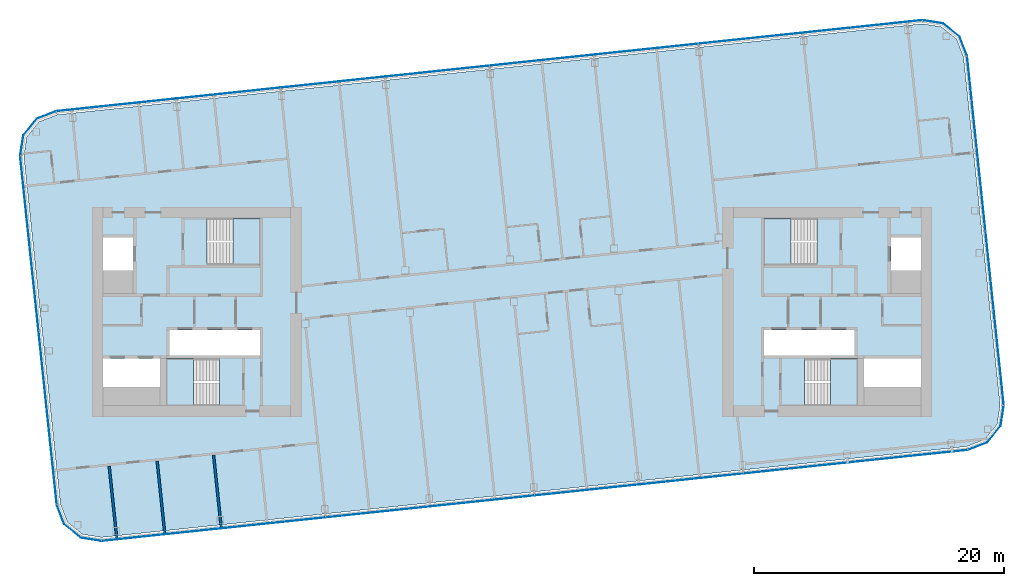
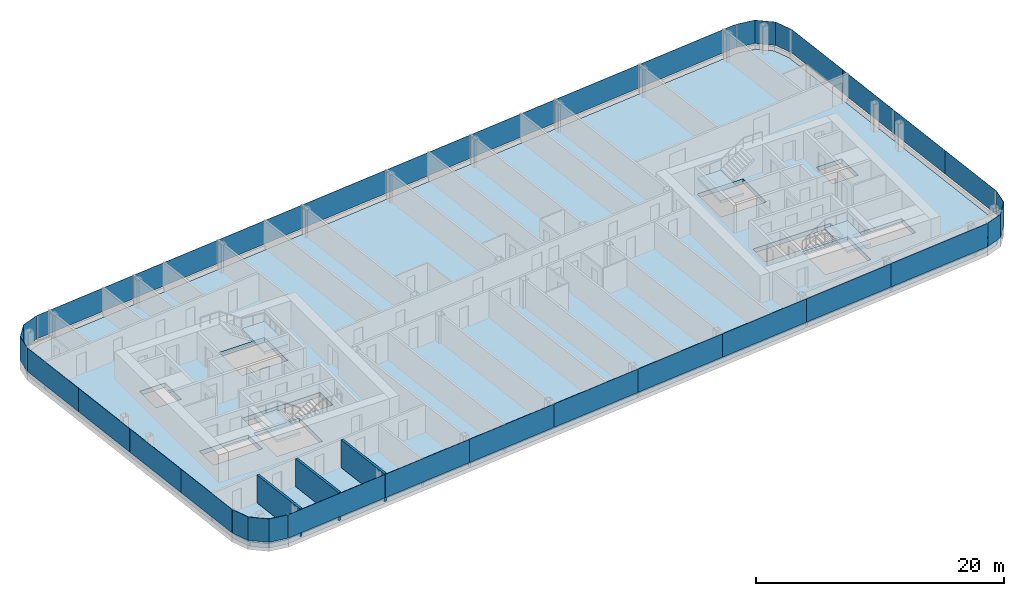
# One storey, part 13 of 27: 28 plates, 5 slabs, 3 walls, 12 elements without a shape of their own.
"""IFC4 building model written with IfcOpenShell, lengths in metres."""

from ifc_helpers import new_model, si_unit, direction, frame, frame_2d, origin, origin_2d, place, context, subcontext, project, spatial, polyline, rectangle, outline, extrude, material, layer, layer_set, type_object, element, aggregate, save


model = new_model("IFC4")

# Units and contexts
model_context = context("Model", 3, precision=1e-05, world=origin(), true_north=direction((0.0, 1.0)))
body_context = subcontext(model_context, "Body", "Model", "MODEL_VIEW")
ifc_project = project(units=[si_unit("LENGTHUNIT", "METRE"), si_unit("AREAUNIT", "SQUARE_METRE"), si_unit("VOLUMEUNIT", "CUBIC_METRE"), si_unit("PLANEANGLEUNIT", "RADIAN"), si_unit("MASSUNIT", "GRAM", prefix="KILO")], contexts=[model_context])

# Site, building, storey
site_placement = place(None, origin())
site = spatial("IfcSite", under=ifc_project, at=site_placement, CompositionType="ELEMENT")
building_placement = place(site_placement, origin())
building = spatial("IfcBuilding", under=site, at=building_placement, Name="Hakoniwa Tower and Hamabe Station Hall", CompositionType="ELEMENT")
storey_placement = place(building_placement, frame((0.0, 0.0, 261.39990234375)))
storey = spatial("IfcBuildingStorey", under=building, at=storey_placement, Name="L74", CompositionType="ELEMENT", Elevation=261.39990234375)

# Stair, slab
ifc_material_1 = material(Name="Concrete C40", Category="concrete")
stair_type = type_object("IfcStairType", Name="ESCAPE STAIR 1800", PredefinedType="HALF_TURN_STAIR", material=ifc_material_1)
stair_1_placement = place(storey_placement, origin())
stair_1 = element("IfcStair", 1, at=stair_1_placement, inside=storey, type_object=stair_type, Name="Escape stair ST-1 L74", PredefinedType="HALF_TURN_STAIR")
ifc_material_2 = material(Name="Concrete C40", Category="concrete")
ifc_layer_1 = layer(ifc_material_2, 0.25)
ifc_layer_set_1 = layer_set([ifc_layer_1], Name="CORE STAIR LANDING 250")
slab_type_1 = type_object("IfcSlabType", Name="CORE STAIR LANDING 250", PredefinedType="LANDING", material=ifc_layer_set_1)
slab_1_placement = place(storey_placement, frame((0.0, 0.0, 1.35009765625)))
slab_1 = element("IfcSlab", 2, at=slab_1_placement, type_object=slab_type_1, Name="ST-1 landing 1", PredefinedType="LANDING", context=body_context, shape_type="SweptSolid", body=[
    extrude(outline(polyline([(-22.320068359375, 3.75), (-20.14990234375, 3.75), (-20.14990234375, 7.5), (-22.320068359375, 7.5), (-22.320068359375, 3.75)])), origin(), (0.0, 0.0, 1.0), 0.25),
])
aggregate(stair_1, [slab_1])

stair_2_placement = place(storey_placement, origin())
stair_2 = element("IfcStair", 3, at=stair_2_placement, inside=storey, type_object=stair_type, Name="Escape stair ST-2 L74", PredefinedType="HALF_TURN_STAIR")
slab_2_placement = place(storey_placement, frame((0.0, 0.0, 1.35009765625)))
slab_2 = element("IfcSlab", 4, at=slab_2_placement, type_object=slab_type_1, Name="ST-2 landing 1", PredefinedType="LANDING", context=body_context, shape_type="SweptSolid", body=[
    extrude(outline(polyline([(-25.47998046875, -7.5), (-27.64990234375, -7.5), (-27.64990234375, -3.75), (-25.47998046875, -3.75), (-25.47998046875, -7.5)])), origin(), (0.0, 0.0, 1.0), 0.25),
])
aggregate(stair_2, [slab_2])

stair_3_placement = place(storey_placement, origin())
stair_3 = element("IfcStair", 5, at=stair_3_placement, inside=storey, type_object=stair_type, Name="Escape stair ST-3 L74", PredefinedType="HALF_TURN_STAIR")
slab_3_placement = place(storey_placement, frame((0.0, 0.0, 1.35009765625)))
slab_3 = element("IfcSlab", 6, at=slab_3_placement, type_object=slab_type_1, Name="ST-3 landing 1", PredefinedType="LANDING", context=body_context, shape_type="SweptSolid", body=[
    extrude(outline(polyline([(22.320068359375, 3.75), (20.14990234375, 3.75), (20.14990234375, 7.5), (22.320068359375, 7.5), (22.320068359375, 3.75)])), origin(), (0.0, 0.0, 1.0), 0.25),
])
aggregate(stair_3, [slab_3])

stair_4_placement = place(storey_placement, origin())
stair_4 = element("IfcStair", 7, at=stair_4_placement, inside=storey, type_object=stair_type, Name="Escape stair ST-4 L74", PredefinedType="HALF_TURN_STAIR")
slab_4_placement = place(storey_placement, frame((0.0, 0.0, 1.35009765625)))
slab_4 = element("IfcSlab", 8, at=slab_4_placement, type_object=slab_type_1, Name="ST-4 landing 1", PredefinedType="LANDING", context=body_context, shape_type="SweptSolid", body=[
    extrude(outline(polyline([(25.47998046875, -7.5), (27.64990234375, -7.5), (27.64990234375, -3.75), (25.47998046875, -3.75), (25.47998046875, -7.5)])), origin(), (0.0, 0.0, 1.0), 0.25),
])
aggregate(stair_4, [slab_4])

# Curtain wall, plates
ifc_material_3 = material(Name="Dark low-e laminated glass", Category="glass")
ifc_layer_2 = layer(ifc_material_3, 0.199951171875)
ifc_layer_set_2 = layer_set([ifc_layer_2], Name="CW-1 UNITISED GUEST")
curtain_wall_type = type_object("IfcCurtainWallType", Name="CW-1 UNITISED GUEST", PredefinedType="NOTDEFINED", material=ifc_layer_set_2)
curtain_wall_1_placement = place(storey_placement, origin())
curtain_wall_1 = element("IfcCurtainWall", 9, at=curtain_wall_1_placement, inside=storey, type_object=curtain_wall_type, Name="CW-1 curtain wall", PredefinedType="NOTDEFINED")
ifc_material_4 = material(Name="Dark low-e laminated glass", Category="glass")
ifc_layer_3 = layer(ifc_material_4, 0.028076171875)
ifc_layer_set_3 = layer_set([ifc_layer_3], Name="CW-1 GLASS UNIT")
plate_type = type_object("IfcPlateType", Name="CW-1 GLASS UNIT", PredefinedType="CURTAIN_PANEL", material=ifc_layer_set_3)
plate_1_placement = place(storey_placement, frame((38.97802734375, -3.990966796875, 0.35009765625), z_axis=(0.0, 0.0, 1.0), x_axis=(-0.104528468631, 0.994521894805, 0.0)))
plate_1 = element("IfcPlate", 10, at=plate_1_placement, type_object=plate_type, Name="CW-1 glass unit", PredefinedType="CURTAIN_PANEL", context=body_context, shape_type="SweptSolid", body=[
    extrude(rectangle(XDim=6.999755859375, YDim=0.028076171875, at=origin_2d()), origin(), (0.0, 0.0, 1.0), 2.300048828125),
])
plate_2_placement = place(storey_placement, frame((38.244140625, 2.990478515625, 0.35009765625), z_axis=(0.0, 0.0, 1.0), x_axis=(-0.104528468631, 0.994521894805, 0.0)))
plate_2 = element("IfcPlate", 11, at=plate_2_placement, type_object=plate_type, Name="CW-1 glass unit", PredefinedType="CURTAIN_PANEL", context=body_context, shape_type="SweptSolid", body=[
    extrude(rectangle(XDim=6.999755859375, YDim=0.028076171875, at=origin_2d()), origin(), (0.0, 0.0, 1.0), 2.300048828125),
])
plate_3_placement = place(storey_placement, frame((37.510498046875, 9.9716796875, 0.35009765625), z_axis=(0.0, 0.0, 1.0), x_axis=(-0.104528468631, 0.994521894805, 0.0)))
plate_3 = element("IfcPlate", 12, at=plate_3_placement, type_object=plate_type, Name="CW-1 glass unit", PredefinedType="CURTAIN_PANEL", context=body_context, shape_type="SweptSolid", body=[
    extrude(rectangle(XDim=6.999755859375, YDim=0.028076171875, at=origin_2d()), origin(), (0.0, 0.0, 1.0), 2.300048828125),
])
plate_4_placement = place(storey_placement, frame((36.776611328125, 16.953125, 0.35009765625), z_axis=(0.0, 0.0, 1.0), x_axis=(-0.104528468631, 0.994521894805, 0.0)))
plate_4 = element("IfcPlate", 13, at=plate_4_placement, type_object=plate_type, Name="CW-1 glass unit", PredefinedType="CURTAIN_PANEL", context=body_context, shape_type="SweptSolid", body=[
    extrude(rectangle(XDim=6.999755859375, YDim=0.028076171875, at=origin_2d()), origin(), (0.0, 0.0, 1.0), 2.300048828125),
])
aggregate(curtain_wall_1, [plate_1, plate_2, plate_3, plate_4])

# Curtain wall, plate
curtain_wall_2_placement = place(storey_placement, origin())
curtain_wall_2 = element("IfcCurtainWall", 14, at=curtain_wall_2_placement, inside=storey, type_object=curtain_wall_type, Name="CW-1 curtain wall", PredefinedType="NOTDEFINED")
plate_5_placement = place(storey_placement, frame((0.0, 0.0, 0.35009765625)))
plate_5 = element("IfcPlate", 15, at=plate_5_placement, type_object=plate_type, Name="CW-1 curved corner unit", PredefinedType="CURTAIN_PANEL", context=body_context, shape_type="SweptSolid", body=[
    extrude(outline(polyline([(36.409423828125, 20.482421875), (35.82421875, 22.0068359375), (34.492431640625, 23.085205078125), (32.8798828125, 23.340576171875), (32.87548828125, 23.31298828125), (34.480712890625, 23.058837890625), (35.80078125, 21.98974609375), (36.38330078125, 20.472412109375), (36.409423828125, 20.482421875)])), origin(), (0.0, 0.0, 1.0), 2.300048828125),
])
aggregate(curtain_wall_2, [plate_5])

# Curtain wall, plates
curtain_wall_3_placement = place(storey_placement, origin())
curtain_wall_3 = element("IfcCurtainWall", 16, at=curtain_wall_3_placement, inside=storey, type_object=curtain_wall_type, Name="CW-1 curtain wall", PredefinedType="NOTDEFINED")
plate_6_placement = place(storey_placement, frame((28.04833984375, 22.829345703125, 0.35009765625), z_axis=(0.0, 0.0, 1.0), x_axis=(-0.994521895272, -0.104528464188, 0.0)))
plate_6 = element("IfcPlate", 17, at=plate_6_placement, type_object=plate_type, Name="CW-1 glass unit", PredefinedType="CURTAIN_PANEL", context=body_context, shape_type="SweptSolid", body=[
    extrude(rectangle(XDim=9.619384765625, YDim=0.028076171875, at=origin_2d()), origin(), (0.0, 0.0, 1.0), 2.300048828125),
])
plate_7_placement = place(storey_placement, frame((19.078125, 21.886474609375, 0.35009765625), z_axis=(0.0, 0.0, 1.0), x_axis=(-0.994521895272, -0.104528464188, 0.0)))
plate_7 = element("IfcPlate", 18, at=plate_7_placement, type_object=plate_type, Name="CW-1 glass unit", PredefinedType="CURTAIN_PANEL", context=body_context, shape_type="SweptSolid", body=[
    extrude(rectangle(XDim=8.3798828125, YDim=0.028076171875, at=origin_2d()), origin(), (0.0, 0.0, 1.0), 2.300048828125),
])
plate_8_placement = place(storey_placement, frame((10.72412109375, 21.00830078125, 0.35009765625), z_axis=(0.0, 0.0, 1.0), x_axis=(-0.994521895272, -0.104528464188, 0.0)))
plate_8 = element("IfcPlate", 19, at=plate_8_placement, type_object=plate_type, Name="CW-1 glass unit", PredefinedType="CURTAIN_PANEL", context=body_context, shape_type="SweptSolid", body=[
    extrude(rectangle(XDim=8.3798828125, YDim=0.028076171875, at=origin_2d()), origin(), (0.0, 0.0, 1.0), 2.300048828125),
])
plate_9_placement = place(storey_placement, frame((2.3701171875, 20.13037109375, 0.35009765625), z_axis=(0.0, 0.0, 1.0), x_axis=(-0.994521895272, -0.104528464188, 0.0)))
plate_9 = element("IfcPlate", 20, at=plate_9_placement, type_object=plate_type, Name="CW-1 glass unit", PredefinedType="CURTAIN_PANEL", context=body_context, shape_type="SweptSolid", body=[
    extrude(rectangle(XDim=8.3798828125, YDim=0.028076171875, at=origin_2d()), origin(), (0.0, 0.0, 1.0), 2.300048828125),
])
plate_10_placement = place(storey_placement, frame((-5.98388671875, 19.252197265625, 0.35009765625), z_axis=(0.0, 0.0, 1.0), x_axis=(-0.994521895272, -0.104528464188, 0.0)))
plate_10 = element("IfcPlate", 21, at=plate_10_placement, type_object=plate_type, Name="CW-1 glass unit", PredefinedType="CURTAIN_PANEL", context=body_context, shape_type="SweptSolid", body=[
    extrude(rectangle(XDim=8.3798828125, YDim=0.028076171875, at=origin_2d()), origin(), (0.0, 0.0, 1.0), 2.300048828125),
])
plate_11_placement = place(storey_placement, frame((-14.337890625, 18.374267578125, 0.35009765625), z_axis=(0.0, 0.0, 1.0), x_axis=(-0.994521895272, -0.104528464188, 0.0)))
plate_11 = element("IfcPlate", 22, at=plate_11_placement, type_object=plate_type, Name="CW-1 glass unit", PredefinedType="CURTAIN_PANEL", context=body_context, shape_type="SweptSolid", body=[
    extrude(rectangle(XDim=8.3798828125, YDim=0.028076171875, at=origin_2d()), origin(), (0.0, 0.0, 1.0), 2.300048828125),
])
plate_12_placement = place(storey_placement, frame((-22.69189453125, 17.49609375, 0.35009765625), z_axis=(0.0, 0.0, 1.0), x_axis=(-0.994521895272, -0.104528464188, 0.0)))
plate_12 = element("IfcPlate", 23, at=plate_12_placement, type_object=plate_type, Name="CW-1 glass unit", PredefinedType="CURTAIN_PANEL", context=body_context, shape_type="SweptSolid", body=[
    extrude(rectangle(XDim=8.3798828125, YDim=0.028076171875, at=origin_2d()), origin(), (0.0, 0.0, 1.0), 2.300048828125),
])
plate_13_placement = place(storey_placement, frame((-31.662109375, 16.553466796875, 0.35009765625), z_axis=(0.0, 0.0, 1.0), x_axis=(-0.994521895272, -0.104528464188, 0.0)))
plate_13 = element("IfcPlate", 24, at=plate_13_placement, type_object=plate_type, Name="CW-1 glass unit", PredefinedType="CURTAIN_PANEL", context=body_context, shape_type="SweptSolid", body=[
    extrude(rectangle(XDim=9.619384765625, YDim=0.028076171875, at=origin_2d()), origin(), (0.0, 0.0, 1.0), 2.300048828125),
])
aggregate(curtain_wall_3, [plate_6, plate_7, plate_8, plate_9, plate_10, plate_11, plate_12, plate_13])

# Curtain wall, plate
curtain_wall_4_placement = place(storey_placement, origin())
curtain_wall_4 = element("IfcCurtainWall", 25, at=curtain_wall_4_placement, inside=storey, type_object=curtain_wall_type, Name="CW-1 curtain wall", PredefinedType="NOTDEFINED")
plate_14_placement = place(storey_placement, frame((0.0, 0.0, 0.35009765625)))
plate_14 = element("IfcPlate", 26, at=plate_14_placement, type_object=plate_type, Name="CW-1 curved corner unit", PredefinedType="CURTAIN_PANEL", context=body_context, shape_type="SweptSolid", body=[
    extrude(outline(polyline([(-36.494384765625, 16.049072265625), (-38.0185546875, 15.464111328125), (-39.09716796875, 14.13232421875), (-39.3525390625, 12.51953125), (-39.324951171875, 12.51513671875), (-39.070556640625, 14.120361328125), (-38.001708984375, 15.440673828125), (-36.484375, 16.02294921875), (-36.494384765625, 16.049072265625)])), origin(), (0.0, 0.0, 1.0), 2.300048828125),
])
aggregate(curtain_wall_4, [plate_14])

# Curtain wall, plates
curtain_wall_5_placement = place(storey_placement, origin())
curtain_wall_5 = element("IfcCurtainWall", 27, at=curtain_wall_5_placement, inside=storey, type_object=curtain_wall_type, Name="CW-1 curtain wall", PredefinedType="NOTDEFINED")
plate_15_placement = place(storey_placement, frame((-38.97802734375, 8.990966796875, 0.35009765625), z_axis=(0.0, 0.0, 1.0), x_axis=(0.104528468631, -0.994521894805, 0.0)))
plate_15 = element("IfcPlate", 28, at=plate_15_placement, type_object=plate_type, Name="CW-1 glass unit", PredefinedType="CURTAIN_PANEL", context=body_context, shape_type="SweptSolid", body=[
    extrude(rectangle(XDim=6.999755859375, YDim=0.028076171875, at=origin_2d()), origin(), (0.0, 0.0, 1.0), 2.300048828125),
])
plate_16_placement = place(storey_placement, frame((-38.244140625, 2.009521484375, 0.35009765625), z_axis=(0.0, 0.0, 1.0), x_axis=(0.104528468631, -0.994521894805, 0.0)))
plate_16 = element("IfcPlate", 29, at=plate_16_placement, type_object=plate_type, Name="CW-1 glass unit", PredefinedType="CURTAIN_PANEL", context=body_context, shape_type="SweptSolid", body=[
    extrude(rectangle(XDim=6.999755859375, YDim=0.028076171875, at=origin_2d()), origin(), (0.0, 0.0, 1.0), 2.300048828125),
])
plate_17_placement = place(storey_placement, frame((-37.510498046875, -4.9716796875, 0.35009765625), z_axis=(0.0, 0.0, 1.0), x_axis=(0.104528468631, -0.994521894805, 0.0)))
plate_17 = element("IfcPlate", 30, at=plate_17_placement, type_object=plate_type, Name="CW-1 glass unit", PredefinedType="CURTAIN_PANEL", context=body_context, shape_type="SweptSolid", body=[
    extrude(rectangle(XDim=6.999755859375, YDim=0.028076171875, at=origin_2d()), origin(), (0.0, 0.0, 1.0), 2.300048828125),
])
plate_18_placement = place(storey_placement, frame((-36.776611328125, -11.953125, 0.35009765625), z_axis=(0.0, 0.0, 1.0), x_axis=(0.104528468631, -0.994521894805, 0.0)))
plate_18 = element("IfcPlate", 31, at=plate_18_placement, type_object=plate_type, Name="CW-1 glass unit", PredefinedType="CURTAIN_PANEL", context=body_context, shape_type="SweptSolid", body=[
    extrude(rectangle(XDim=6.999755859375, YDim=0.028076171875, at=origin_2d()), origin(), (0.0, 0.0, 1.0), 2.300048828125),
])
aggregate(curtain_wall_5, [plate_15, plate_16, plate_17, plate_18])

# Curtain wall, plate
curtain_wall_6_placement = place(storey_placement, origin())
curtain_wall_6 = element("IfcCurtainWall", 32, at=curtain_wall_6_placement, inside=storey, type_object=curtain_wall_type, Name="CW-1 curtain wall", PredefinedType="NOTDEFINED")
plate_19_placement = place(storey_placement, frame((0.0, 0.0, 0.35009765625)))
plate_19 = element("IfcPlate", 33, at=plate_19_placement, type_object=plate_type, Name="CW-1 curved corner unit", PredefinedType="CURTAIN_PANEL", context=body_context, shape_type="SweptSolid", body=[
    extrude(outline(polyline([(-36.409423828125, -15.482421875), (-35.82421875, -17.0068359375), (-34.492431640625, -18.085205078125), (-32.8798828125, -18.340576171875), (-32.87548828125, -18.31298828125), (-34.480712890625, -18.058837890625), (-35.80078125, -16.98974609375), (-36.38330078125, -15.472412109375), (-36.409423828125, -15.482421875)])), origin(), (0.0, 0.0, 1.0), 2.300048828125),
])
aggregate(curtain_wall_6, [plate_19])

# Curtain wall, plates
curtain_wall_7_placement = place(storey_placement, origin())
curtain_wall_7 = element("IfcCurtainWall", 34, at=curtain_wall_7_placement, inside=storey, type_object=curtain_wall_type, Name="CW-1 curtain wall", PredefinedType="NOTDEFINED")
plate_20_placement = place(storey_placement, frame((-28.04833984375, -17.829345703125, 0.35009765625), z_axis=(0.0, 0.0, 1.0), x_axis=(0.994521895272, 0.104528464188, 0.0)))
plate_20 = element("IfcPlate", 35, at=plate_20_placement, type_object=plate_type, Name="CW-1 glass unit", PredefinedType="CURTAIN_PANEL", context=body_context, shape_type="SweptSolid", body=[
    extrude(rectangle(XDim=9.619384765625, YDim=0.028076171875, at=origin_2d()), origin(), (0.0, 0.0, 1.0), 2.300048828125),
])
plate_21_placement = place(storey_placement, frame((-19.078125, -16.886474609375, 0.35009765625), z_axis=(0.0, 0.0, 1.0), x_axis=(0.994521895272, 0.104528464188, 0.0)))
plate_21 = element("IfcPlate", 36, at=plate_21_placement, type_object=plate_type, Name="CW-1 glass unit", PredefinedType="CURTAIN_PANEL", context=body_context, shape_type="SweptSolid", body=[
    extrude(rectangle(XDim=8.3798828125, YDim=0.028076171875, at=origin_2d()), origin(), (0.0, 0.0, 1.0), 2.300048828125),
])
plate_22_placement = place(storey_placement, frame((-10.72412109375, -16.00830078125, 0.35009765625), z_axis=(0.0, 0.0, 1.0), x_axis=(0.994521895272, 0.104528464188, 0.0)))
plate_22 = element("IfcPlate", 37, at=plate_22_placement, type_object=plate_type, Name="CW-1 glass unit", PredefinedType="CURTAIN_PANEL", context=body_context, shape_type="SweptSolid", body=[
    extrude(rectangle(XDim=8.3798828125, YDim=0.028076171875, at=origin_2d()), origin(), (0.0, 0.0, 1.0), 2.300048828125),
])
plate_23_placement = place(storey_placement, frame((-2.3701171875, -15.13037109375, 0.35009765625), z_axis=(0.0, 0.0, 1.0), x_axis=(0.994521895272, 0.104528464188, 0.0)))
plate_23 = element("IfcPlate", 38, at=plate_23_placement, type_object=plate_type, Name="CW-1 glass unit", PredefinedType="CURTAIN_PANEL", context=body_context, shape_type="SweptSolid", body=[
    extrude(rectangle(XDim=8.3798828125, YDim=0.028076171875, at=origin_2d()), origin(), (0.0, 0.0, 1.0), 2.300048828125),
])
plate_24_placement = place(storey_placement, frame((5.98388671875, -14.252197265625, 0.35009765625), z_axis=(0.0, 0.0, 1.0), x_axis=(0.994521895272, 0.104528464188, 0.0)))
plate_24 = element("IfcPlate", 39, at=plate_24_placement, type_object=plate_type, Name="CW-1 glass unit", PredefinedType="CURTAIN_PANEL", context=body_context, shape_type="SweptSolid", body=[
    extrude(rectangle(XDim=8.3798828125, YDim=0.028076171875, at=origin_2d()), origin(), (0.0, 0.0, 1.0), 2.300048828125),
])
plate_25_placement = place(storey_placement, frame((14.337890625, -13.374267578125, 0.35009765625), z_axis=(0.0, 0.0, 1.0), x_axis=(0.994521895272, 0.104528464188, 0.0)))
plate_25 = element("IfcPlate", 40, at=plate_25_placement, type_object=plate_type, Name="CW-1 glass unit", PredefinedType="CURTAIN_PANEL", context=body_context, shape_type="SweptSolid", body=[
    extrude(rectangle(XDim=8.3798828125, YDim=0.028076171875, at=origin_2d()), origin(), (0.0, 0.0, 1.0), 2.300048828125),
])
plate_26_placement = place(storey_placement, frame((22.69189453125, -12.49609375, 0.35009765625), z_axis=(0.0, 0.0, 1.0), x_axis=(0.994521895272, 0.104528464188, 0.0)))
plate_26 = element("IfcPlate", 41, at=plate_26_placement, type_object=plate_type, Name="CW-1 glass unit", PredefinedType="CURTAIN_PANEL", context=body_context, shape_type="SweptSolid", body=[
    extrude(rectangle(XDim=8.3798828125, YDim=0.028076171875, at=origin_2d()), origin(), (0.0, 0.0, 1.0), 2.300048828125),
])
plate_27_placement = place(storey_placement, frame((31.662109375, -11.553466796875, 0.35009765625), z_axis=(0.0, 0.0, 1.0), x_axis=(0.994521895272, 0.104528464188, 0.0)))
plate_27 = element("IfcPlate", 42, at=plate_27_placement, type_object=plate_type, Name="CW-1 glass unit", PredefinedType="CURTAIN_PANEL", context=body_context, shape_type="SweptSolid", body=[
    extrude(rectangle(XDim=9.619384765625, YDim=0.028076171875, at=origin_2d()), origin(), (0.0, 0.0, 1.0), 2.300048828125),
])
aggregate(curtain_wall_7, [plate_20, plate_21, plate_22, plate_23, plate_24, plate_25, plate_26, plate_27])

# Curtain wall, plate
curtain_wall_8_placement = place(storey_placement, origin())
curtain_wall_8 = element("IfcCurtainWall", 43, at=curtain_wall_8_placement, inside=storey, type_object=curtain_wall_type, Name="CW-1 curtain wall", PredefinedType="NOTDEFINED")
plate_28_placement = place(storey_placement, frame((0.0, 0.0, 0.35009765625)))
plate_28 = element("IfcPlate", 44, at=plate_28_placement, type_object=plate_type, Name="CW-1 curved corner unit", PredefinedType="CURTAIN_PANEL", context=body_context, shape_type="SweptSolid", body=[
    extrude(outline(polyline([(36.494384765625, -11.049072265625), (38.0185546875, -10.464111328125), (39.09716796875, -9.13232421875), (39.3525390625, -7.51953125), (39.324951171875, -7.51513671875), (39.070556640625, -9.120361328125), (38.001708984375, -10.440673828125), (36.484375, -11.02294921875), (36.494384765625, -11.049072265625)])), origin(), (0.0, 0.0, 1.0), 2.300048828125),
])
aggregate(curtain_wall_8, [plate_28])

# Slab
ifc_material_5 = material(Name="Concrete C42", Category="concrete")
ifc_layer_4 = layer(ifc_material_5, 0.449951171875)
ifc_layer_set_4 = layer_set([ifc_layer_4], Name="PT FLAT PLATE 450")
slab_type_2 = type_object("IfcSlabType", Name="PT FLAT PLATE 450", PredefinedType="FLOOR", material=ifc_layer_set_4)
slab_5_placement = place(storey_placement, frame((0.0, 0.0, -0.449951171875)))
element("IfcSlab", 45, at=slab_5_placement, inside=storey, type_object=slab_type_2, Name="Floor slab L74", PredefinedType="FLOOR", context=body_context, shape_type="SweptSolid", body=[
    extrude(outline(polyline([(39.056396484375, -7.47216796875), (36.12939453125, 20.37451171875), (35.572998046875, 21.82421875), (34.3662109375, 22.801513671875), (32.83251953125, 23.04443359375), (-36.38623046875, 15.769287109375), (-37.836181640625, 15.212890625), (-38.8134765625, 14.005859375), (-39.056396484375, 12.47216796875), (-36.12939453125, -15.37451171875), (-35.572998046875, -16.82421875), (-34.3662109375, -17.801513671875), (-32.83251953125, -18.04443359375), (36.38623046875, -10.769287109375), (37.836181640625, -10.212890625), (38.8134765625, -9.005859375), (39.056396484375, -7.47216796875)]), holes=[polyline([(-27.39990234375, -3.5), (-27.39990234375, -1.449951171875), (-20.14990234375, -1.449951171875), (-20.14990234375, -3.5), (-27.39990234375, -3.5)]), polyline([(-32.699951171875, 3.300048828125), (-32.699951171875, 5.949951171875), (-30.300048828125, 5.949951171875), (-30.300048828125, 3.300048828125), (-32.699951171875, 3.300048828125)]), polyline([(-32.699951171875, -6.0), (-32.699951171875, -3.75), (-28.14990234375, -3.75), (-28.14990234375, -6.0), (-32.699951171875, -6.0)]), polyline([(-24.389892578125, 3.75), (-24.389892578125, 7.5), (-20.14990234375, 7.5), (-20.14990234375, 3.75), (-24.389892578125, 3.75)]), polyline([(-27.64990234375, -7.5), (-27.64990234375, -3.75), (-23.409912109375, -3.75), (-23.409912109375, -7.5), (-27.64990234375, -7.5)]), polyline([(20.14990234375, -3.5), (20.14990234375, -1.449951171875), (27.39990234375, -1.449951171875), (27.39990234375, -3.5), (20.14990234375, -3.5)]), polyline([(30.300048828125, 3.300048828125), (30.300048828125, 5.949951171875), (32.699951171875, 5.949951171875), (32.699951171875, 3.300048828125), (30.300048828125, 3.300048828125)]), polyline([(28.14990234375, -6.0), (28.14990234375, -3.75), (32.699951171875, -3.75), (32.699951171875, -6.0), (28.14990234375, -6.0)]), polyline([(20.14990234375, 3.75), (20.14990234375, 7.5), (24.389892578125, 7.5), (24.389892578125, 3.75), (20.14990234375, 3.75)]), polyline([(23.409912109375, -7.5), (23.409912109375, -3.75), (27.64990234375, -3.75), (27.64990234375, -7.5), (23.409912109375, -7.5)])]), origin(), (0.0, 0.0, 1.0), 0.449951171875),
])

# Walls
ifc_material_6 = material(Name="Fire-rated gypsum board partition", Category="gypsum")
ifc_layer_5 = layer(ifc_material_6, 0.199951171875)
ifc_layer_set_5 = layer_set([ifc_layer_5], Name="Party Wall 200")
wall_type = type_object("IfcWallType", Name="Party Wall 200", PredefinedType="PARTITIONING", material=ifc_layer_set_5)
wall_1_placement = place(storey_placement, frame((-31.607666015625, -18.21728515625, 0.0), z_axis=(0.0, 0.0, 1.0), x_axis=(-0.10453655107, 0.994521045273, 0.0)))
element("IfcWall", 46, at=wall_1_placement, inside=storey, type_object=wall_type, Name="GW-L74-015", PredefinedType="PARTITIONING", context=body_context, shape_type="SweptSolid", body=[
    extrude(rectangle(XDim=5.915771484375, YDim=0.199951171875, at=frame_2d((2.9580078125, 0.0))), origin(), (0.0, 0.0, 1.0), 2.75),
])
wall_2_placement = place(storey_placement, frame((-27.768798828125, -17.81396484375, 0.0), z_axis=(0.0, 0.0, 1.0), x_axis=(-0.104532260673, 0.994521496238, 0.0)))
element("IfcWall", 47, at=wall_2_placement, inside=storey, type_object=wall_type, Name="GW-L74-017", PredefinedType="PARTITIONING", context=body_context, shape_type="SweptSolid", body=[
    extrude(rectangle(XDim=5.916015625, YDim=0.199951171875, at=frame_2d((2.9580078125, 0.0))), origin(), (0.0, 0.0, 1.0), 2.75),
])
wall_3_placement = place(storey_placement, frame((-23.253662109375, -17.33935546875, 0.0), z_axis=(0.0, 0.0, 1.0), x_axis=(-0.10453655107, 0.994521045273, 0.0)))
element("IfcWall", 48, at=wall_3_placement, inside=storey, type_object=wall_type, Name="GW-L74-019", PredefinedType="PARTITIONING", context=body_context, shape_type="SweptSolid", body=[
    extrude(rectangle(XDim=5.915771484375, YDim=0.199951171875, at=frame_2d((2.9580078125, 0.0))), origin(), (0.0, 0.0, 1.0), 2.75),
])

save(model, "model.ifc")
